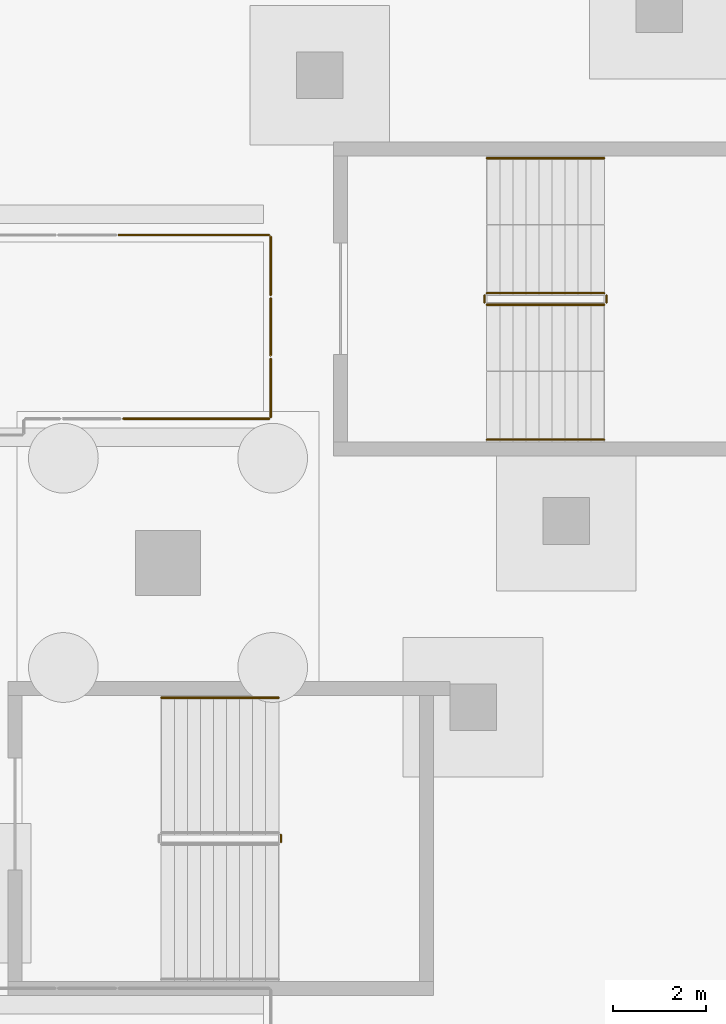
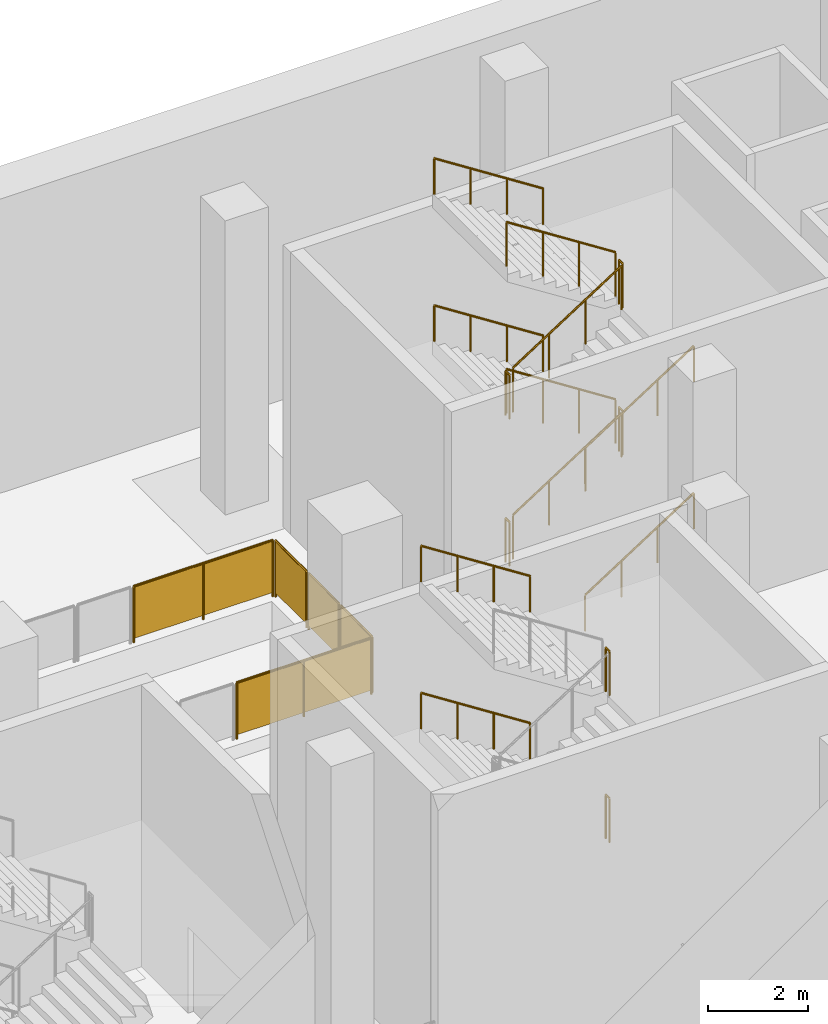
# One storey, part 14 of 15: 21 railings.
"""IFC4 building model written with IfcOpenShell, lengths in metres."""

import ifcopenshell
import ifcopenshell.guid

model = None  # the IFC model being written
_history = None  # IfcOwnerHistory: only IFC2X3 demands one
_inside = {}  # id of a spatial element -> (the spatial element, [elements in it])
_under = {}  # id of a project, library or spatial element -> (it, [spatial elements below it])
_declared = {}  # id of a project -> (the project, [libraries it declares])
_typed = {}  # id of a type object -> (the type object, [elements of that type])
_made_of = {}  # id of a material, layer set ... -> (it, [elements and type objects made of it])


def new_model(schema):
    """Start an empty IFC model of exactly this schema.

    Asked for "IFC4X3", IfcOpenShell would pick the latest addendum, in which some entities
    have other attributes; the version numbers below select the first issue.
    IFC2X3 requires an IfcOwnerHistory on every rooted entity: one is made here for all.
    """
    global model, _history
    if schema == "IFC4X3":
        model = ifcopenshell.file(schema_version=(4, 3, 0, 0))
    else:
        model = ifcopenshell.file(schema=schema)
    _inside.clear()
    _under.clear()
    _declared.clear()
    _typed.clear()
    _made_of.clear()
    _history = None
    if model.schema == "IFC2X3":
        org = make("IfcOrganization", Name="unknown")
        user = make(
            "IfcPersonAndOrganization",
            ThePerson=make("IfcPerson", FamilyName="unknown"),
            TheOrganization=org,
        )
        app = make(
            "IfcApplication",
            ApplicationDeveloper=org,
            Version="unknown",
            ApplicationFullName="unknown",
            ApplicationIdentifier="unknown",
        )
        _history = make(
            "IfcOwnerHistory",
            OwningUser=user,
            OwningApplication=app,
            ChangeAction="ADDED",
            CreationDate=0,
        )
    return model


def make(cls, **values):
    """One entity of the class cls with the attributes given. An attribute that is None is left unset."""
    return model.create_entity(
        cls, **{name: value for name, value in values.items() if value is not None}
    )


def rooted(cls, **values):
    """An entity with a GlobalId (a new one), such as an element, a storey or a relation."""
    return make(cls, GlobalId=ifcopenshell.guid.new(), OwnerHistory=_history, **values)


def si_unit(unit_type, name, prefix=None):
    """IfcSIUnit, for example si_unit("LENGTHUNIT", "METRE", prefix="MILLI")."""
    return make("IfcSIUnit", UnitType=unit_type, Prefix=prefix, Name=name)


def assignment(units):
    """IfcUnitAssignment: the units of a project."""
    return None if units is None else make("IfcUnitAssignment", Units=units)


def point(xyz):
    """IfcCartesianPoint."""
    return None if xyz is None else make("IfcCartesianPoint", Coordinates=xyz)


def direction(xyz):
    """IfcDirection."""
    return None if xyz is None else make("IfcDirection", DirectionRatios=xyz)


def frame(location, z_axis=None, x_axis=None):
    """IfcAxis2Placement3D, a coordinate frame: its origin and axes. An axis left out is left unset."""
    return make(
        "IfcAxis2Placement3D",
        Location=point(location),
        Axis=direction(z_axis),
        RefDirection=direction(x_axis),
    )


def frame_2d(location, x_axis=None):
    """IfcAxis2Placement2D, a coordinate frame in the plane: its origin and x axis."""
    return make(
        "IfcAxis2Placement2D", Location=point(location), RefDirection=direction(x_axis)
    )


def origin():
    """The frame at (0, 0, 0) with its axes left unset."""
    return frame((0.0, 0.0, 0.0))


def origin_2d():
    """The frame at (0, 0) in the plane with its x axis left unset."""
    return frame_2d((0.0, 0.0))


def place(relative_to, where):
    """IfcLocalPlacement: puts the frame where relative to a parent placement (None: the world)."""
    return make(
        "IfcLocalPlacement", PlacementRelTo=relative_to, RelativePlacement=where
    )


def context(
    kind, dimensions, precision=None, world=None, true_north=None, identifier=None
):
    """IfcGeometricRepresentationContext, for example the 3D "Model" context."""
    return make(
        "IfcGeometricRepresentationContext",
        ContextIdentifier=identifier,
        ContextType=kind,
        CoordinateSpaceDimension=dimensions,
        Precision=precision,
        WorldCoordinateSystem=world,
        TrueNorth=true_north,
    )


def subcontext(parent, identifier, kind, view, scale=None):
    """IfcGeometricRepresentationSubContext, for example "Body" below "Model"."""
    return make(
        "IfcGeometricRepresentationSubContext",
        ContextIdentifier=identifier,
        ContextType=kind,
        ParentContext=parent,
        TargetScale=scale,
        TargetView=view,
    )


def project(units=None, contexts=None):
    """IfcProject with its units and contexts."""
    return rooted(
        "IfcProject",
        Name="project",
        RepresentationContexts=contexts,
        UnitsInContext=assignment(units),
    )


def spatial(cls, under=None, at=None, **own):
    """A site, building, storey or space (cls), placed at a placement, below another one or the project."""
    s = rooted(cls, ObjectPlacement=at, **own)
    if under is not None:
        _under.setdefault(under.id(), (under, []))[1].append(s)
    return s


def profile(cls, at=None, kind="AREA", **sizes):
    """A parametric profile (cls). Its sizes go by their IFC names, for example OverallWidth=200.0."""
    return make(cls, ProfileType=kind, Position=at, **sizes)


def rectangle(**sizes):
    """IfcRectangleProfileDef."""
    return profile("IfcRectangleProfileDef", **sizes)


def circle(**sizes):
    """IfcCircleProfileDef."""
    return profile("IfcCircleProfileDef", **sizes)


def extrude(swept, where, along, depth):
    """IfcExtrudedAreaSolid: the profile swept, set in the frame where, extruded along a direction by depth."""
    return make(
        "IfcExtrudedAreaSolid",
        SweptArea=swept,
        Position=where,
        ExtrudedDirection=direction(along),
        Depth=depth,
    )


def shape(context_of_items, identifier, shape_type, items):
    """IfcShapeRepresentation: the items that make up one representation, for example the "Body"."""
    return make(
        "IfcShapeRepresentation",
        ContextOfItems=context_of_items,
        RepresentationIdentifier=identifier,
        RepresentationType=shape_type,
        Items=items,
    )


def material(Name=None, Category=None):
    """IfcMaterial."""
    return make("IfcMaterial", Name=Name, Category=Category)


def made_of(thing, what):
    """Note that an element or type object is made of a material, layer set ...; save() writes the relation."""
    if what is not None:
        _made_of.setdefault(what.id(), (what, []))[1].append(thing)
    return thing


def type_object(cls, material=None, **own):
    """A type object (cls), such as IfcWallType, which elements share."""
    return made_of(rooted(cls, **own), material)


def element(
    cls,
    number,
    at=None,
    inside=None,
    cuts=None,
    type_object=None,
    material=None,
    context=None,
    identifier="Body",
    shape_type=None,
    held_by="IfcProductDefinitionShape",
    body=None,
    shapes=None,
    **own,
):
    """One element of the class cls, such as IfcWall. Its Tag is "e" and its number.

    at: its placement. inside: the storey or other place that contains it. cuts: it is an
    opening in that element (IfcRelVoidsElement). A single representation is given by context,
    identifier, shape_type and body (its items); several are given by shapes. held_by: the class
    of the entity that holds the representations. save() writes the other relations.
    """
    e = rooted(cls, Tag="e%d" % number, ObjectPlacement=at, **own)
    if body is not None:
        shapes = [shape(context, identifier, shape_type, body)]
    if shapes is not None:
        e.Representation = make(held_by, Representations=shapes)
    if inside is not None:
        _inside.setdefault(inside.id(), (inside, []))[1].append(e)
    if cuts is not None:
        rooted(
            "IfcRelVoidsElement", RelatingBuildingElement=cuts, RelatedOpeningElement=e
        )
    if type_object is not None:
        _typed.setdefault(type_object.id(), (type_object, []))[1].append(e)
    return made_of(e, material)


def aggregate(whole, parts):
    """IfcRelAggregates: a whole, such as a stair, and the parts it consists of."""
    return rooted("IfcRelAggregates", RelatingObject=whole, RelatedObjects=parts)


def save(model, path):
    """Write the relations noted so far, then the file.

    IfcRelAggregates (storeys below a building ...), IfcRelContainedInSpatialStructure (elements
    in a storey), IfcRelDefinesByType, IfcRelAssociatesMaterial and IfcRelDeclares: one each for
    every whole, place, type object, material and project.
    """
    for whole, parts in _under.values():
        aggregate(whole, parts)
    for where, things in _inside.values():
        rooted(
            "IfcRelContainedInSpatialStructure",
            RelatedElements=things,
            RelatingStructure=where,
        )
    for kind, things in _typed.values():
        rooted("IfcRelDefinesByType", RelatedObjects=things, RelatingType=kind)
    for what, things in _made_of.values():
        rooted("IfcRelAssociatesMaterial", RelatedObjects=things, RelatingMaterial=what)
    for by, libraries in _declared.values():
        rooted("IfcRelDeclares", RelatingContext=by, RelatedDefinitions=libraries)
    model.write(path)


model = new_model("IFC4")

# Units and contexts
model_context = context("Model", 3, precision=1e-05, world=origin(), true_north=direction((0.0, 1.0)))
body_context = subcontext(model_context, "Body", "Model", "MODEL_VIEW")
ifc_project = project(units=[si_unit("LENGTHUNIT", "METRE"), si_unit("AREAUNIT", "SQUARE_METRE"), si_unit("VOLUMEUNIT", "CUBIC_METRE"), si_unit("PLANEANGLEUNIT", "RADIAN"), si_unit("MASSUNIT", "GRAM", prefix="KILO")], contexts=[model_context])

# Site, building, storey
site_placement = place(None, origin())
site = spatial("IfcSite", under=ifc_project, at=site_placement, CompositionType="ELEMENT")
building_placement = place(site_placement, origin())
building = spatial("IfcBuilding", under=site, at=building_placement, Name="Wharfspan Tower", CompositionType="ELEMENT")
storey_placement = place(building_placement, frame((0.0, 0.0, -14.399902)))
storey = spatial("IfcBuildingStorey", under=building, at=storey_placement, Name="B2", CompositionType="ELEMENT", Elevation=-14.399902)

# Railings
ifc_material_1 = material(Name="Aluminium frame with laminated glass", Category="aluminium")
railing_type_1 = type_object("IfcRailingType", Name="Platform edge screen 1400", PredefinedType="GUARDRAIL", material=ifc_material_1)
railing_1_placement = place(storey_placement, frame((82.610107, -18.800049, 0.0)))
element("IfcRailing", 1, at=railing_1_placement, inside=storey, type_object=railing_type_1, Name="Platform edge screen", PredefinedType="GUARDRAIL", context=body_context, shape_type="SweptSolid", body=[
    extrude(circle(Radius=0.024902, at=origin_2d()), frame((0.0, 0.0, 1.375), z_axis=(-1.0, 0.0, 0.0), x_axis=(0.0, -1.0, 0.0)), (0.0, 0.0, 1.0), 3.120117),
    extrude(circle(Radius=0.024902, at=origin_2d()), origin(), (0.0, 0.0, 1.0), 1.349854),
    extrude(circle(Radius=0.024902, at=origin_2d()), frame((-1.560059, 0.0, 0.0)), (0.0, 0.0, 1.0), 1.349854),
    extrude(circle(Radius=0.024902, at=origin_2d()), frame((-3.120117, 0.0, 0.0)), (0.0, 0.0, 1.0), 1.349854),
    extrude(rectangle(XDim=3.120117, YDim=0.02002, at=origin_2d()), frame((-1.560059, 0.0, 0.100098), z_axis=(0.0, 0.0, 1.0), x_axis=(-1.0, 0.0, 0.0)), (0.0, 0.0, 1.0), 1.249756),
])
railing_2_placement = place(storey_placement, frame((79.389893, -14.850098, 0.0)))
element("IfcRailing", 2, at=railing_2_placement, inside=storey, type_object=railing_type_1, Name="Platform edge screen", PredefinedType="GUARDRAIL", context=body_context, shape_type="SweptSolid", body=[
    extrude(circle(Radius=0.024902, at=origin_2d()), frame((0.0, 0.0, 1.375), z_axis=(1.0, 0.0, 0.0), x_axis=(0.0, 1.0, 0.0)), (0.0, 0.0, 1.0), 3.220215),
    extrude(circle(Radius=0.024902, at=origin_2d()), origin(), (0.0, 0.0, 1.0), 1.349854),
    extrude(circle(Radius=0.024902, at=origin_2d()), frame((1.610107, 0.0, 0.0)), (0.0, 0.0, 1.0), 1.349854),
    extrude(circle(Radius=0.024902, at=origin_2d()), frame((3.220215, 0.0, 0.0)), (0.0, 0.0, 1.0), 1.349854),
    extrude(rectangle(XDim=3.220215, YDim=0.02002, at=origin_2d()), frame((1.610107, 0.0, 0.100098), z_axis=(0.0, 0.0, 1.0), x_axis=(1.0, 0.0, 0.0)), (0.0, 0.0, 1.0), 1.249756),
])
for number, where, name in (
    (3, (82.649902, -14.889893, 0.0), "Platform edge screen"),
    (4, (82.649902, -17.514893, 0.0), "Platform edge screen"),
):
    element("IfcRailing", number, at=place(storey_placement, frame(where)), inside=storey, type_object=railing_type_1, Name=name, PredefinedType="GUARDRAIL", context=body_context, shape_type="SweptSolid", body=[
        extrude(circle(Radius=0.024902, at=origin_2d()), frame((0.0, 0.0, 1.375), z_axis=(0.0, -1.0, 0.0), x_axis=(1.0, 0.0, 0.0)), (0.0, 0.0, 1.0), 1.245117),
        extrude(circle(Radius=0.024902, at=origin_2d()), origin(), (0.0, 0.0, 1.0), 1.349854),
        extrude(circle(Radius=0.024902, at=origin_2d()), frame((0.0, -1.245117, 0.0)), (0.0, 0.0, 1.0), 1.349854),
        extrude(rectangle(XDim=1.245117, YDim=0.02002, at=origin_2d()), frame((0.0, -0.622559, 0.100098), z_axis=(0.0, 0.0, 1.0), x_axis=(0.0, -1.0, 0.0)), (0.0, 0.0, 1.0), 1.249756),
    ])
railing_type_2 = type_object("IfcRailingType", Name="Platform end gate 1400 (closed)", PredefinedType="GUARDRAIL", material=ifc_material_1)
railing_3_placement = place(storey_placement, frame((82.649902, -16.215088, 0.0)))
element("IfcRailing", 5, at=railing_3_placement, inside=storey, type_object=railing_type_2, Name="Platform end gate (closed)", PredefinedType="GUARDRAIL", context=body_context, shape_type="SweptSolid", body=[
    extrude(circle(Radius=0.024902, at=origin_2d()), frame((0.0, 0.0, 1.375), z_axis=(0.0, -1.0, 0.0), x_axis=(1.0, 0.0, 0.0)), (0.0, 0.0, 1.0), 1.219971),
    extrude(circle(Radius=0.024902, at=origin_2d()), origin(), (0.0, 0.0, 1.0), 1.349854),
    extrude(circle(Radius=0.024902, at=origin_2d()), frame((0.0, -1.219971, 0.0)), (0.0, 0.0, 1.0), 1.349854),
    extrude(rectangle(XDim=1.219971, YDim=0.02002, at=origin_2d()), frame((0.0, -0.609863, 0.100098), z_axis=(0.0, 0.0, 1.0), x_axis=(0.0, -1.0, 0.0)), (0.0, 0.0, 1.0), 1.249756),
])
ifc_material_2 = material(Name="Steel S355J2", Category="steel")
railing_type_3 = type_object("IfcRailingType", Name="Podium guard 1100", PredefinedType="GUARDRAIL", material=ifc_material_2)
for number, where, name in (
    (6, (82.870117, -27.899902, 1.799805), "B2 SB5 stair guard 2"),
    (7, (82.870117, -27.899902, 5.399902), "B2 SB5 stair guard 6"),
):
    element("IfcRailing", number, at=place(storey_placement, frame(where)), inside=storey, type_object=railing_type_3, Name=name, PredefinedType="GUARDRAIL", context=body_context, shape_type="SweptSolid", body=[
        extrude(circle(Radius=0.023926, at=origin_2d()), frame((0.0, 0.0, 1.076172), z_axis=(0.0, 1.0, 0.0), x_axis=(-1.0, 0.0, 0.0)), (0.0, 0.0, 1.0), 0.149902),
        extrude(circle(Radius=0.020996, at=origin_2d()), origin(), (0.0, 0.0, 1.0), 1.052002),
        extrude(circle(Radius=0.020996, at=origin_2d()), frame((0.0, 0.149902, 0.0)), (0.0, 0.0, 1.0), 1.052002),
    ])
railing_4_placement = place(storey_placement, frame((87.300049, -16.350098, 0.179932)))
element("IfcRailing", 8, at=railing_4_placement, inside=storey, type_object=railing_type_3, Name="B2 SB7 stair guard 1", PredefinedType="GUARDRAIL", context=body_context, shape_type="SweptSolid", body=[
    extrude(circle(Radius=0.023926, at=origin_2d()), frame((0.0, 0.0, 1.076172), z_axis=(0.8412, 0.0, 0.540725), x_axis=(0.0, 1.0, 0.0)), (0.0, 0.0, 1.0), 2.99585),
    extrude(circle(Radius=0.020996, at=origin_2d()), origin(), (0.0, 0.0, 1.0), 1.052002),
    extrude(circle(Radius=0.020996, at=origin_2d()), frame((0.840088, 0.0, 0.540039)), (0.0, 0.0, 1.0), 1.052002),
    extrude(circle(Radius=0.020996, at=origin_2d()), frame((1.679932, 0.0, 1.079834)), (0.0, 0.0, 1.0), 1.052002),
    extrude(circle(Radius=0.020996, at=origin_2d()), frame((2.52002, 0.0, 1.619873)), (0.0, 0.0, 1.0), 1.052002),
])
railing_5_placement = place(storey_placement, frame((89.870117, -16.300049, 1.799805)))
element("IfcRailing", 9, at=railing_5_placement, inside=storey, type_object=railing_type_3, Name="B2 SB7 stair guard 2", PredefinedType="GUARDRAIL", context=body_context, shape_type="SweptSolid", body=[
    extrude(circle(Radius=0.023926, at=origin_2d()), frame((0.0, 0.0, 1.076172), z_axis=(0.0, 1.0, 0.0), x_axis=(-1.0, 0.0, 0.0)), (0.0, 0.0, 1.0), 0.150146),
    extrude(circle(Radius=0.020996, at=origin_2d()), origin(), (0.0, 0.0, 1.0), 1.052002),
    extrude(circle(Radius=0.020996, at=origin_2d()), frame((0.0, 0.150146, 0.0)), (0.0, 0.0, 1.0), 1.052002),
])
railing_6_placement = place(storey_placement, frame((89.820068, -16.100098, 1.97998)))
element("IfcRailing", 10, at=railing_6_placement, inside=storey, type_object=railing_type_3, Name="B2 SB7 stair guard 3", PredefinedType="GUARDRAIL", context=body_context, shape_type="SweptSolid", body=[
    extrude(circle(Radius=0.023926, at=origin_2d()), frame((0.0, 0.0, 1.076172), z_axis=(-0.8412, 0.0, 0.540725), x_axis=(0.0, -1.0, 0.0)), (0.0, 0.0, 1.0), 2.99585),
    extrude(circle(Radius=0.020996, at=origin_2d()), origin(), (0.0, 0.0, 1.0), 1.052002),
    extrude(circle(Radius=0.020996, at=origin_2d()), frame((-0.840088, 0.0, 0.540039)), (0.0, 0.0, 1.0), 1.052002),
    extrude(circle(Radius=0.020996, at=origin_2d()), frame((-1.679932, 0.0, 1.079834)), (0.0, 0.0, 1.0), 1.052002),
    extrude(circle(Radius=0.020996, at=origin_2d()), frame((-2.52002, 0.0, 1.619873)), (0.0, 0.0, 1.0), 1.052002),
])
railing_7_placement = place(storey_placement, frame((87.25, -16.300049, 3.599854)))
element("IfcRailing", 11, at=railing_7_placement, inside=storey, type_object=railing_type_3, Name="B2 SB7 stair guard 4", PredefinedType="GUARDRAIL", context=body_context, shape_type="SweptSolid", body=[
    extrude(circle(Radius=0.023926, at=origin_2d()), frame((0.0, 0.0, 1.076172), z_axis=(0.0, 1.0, 0.0), x_axis=(-1.0, 0.0, 0.0)), (0.0, 0.0, 1.0), 0.150146),
    extrude(circle(Radius=0.020996, at=origin_2d()), origin(), (0.0, 0.0, 1.0), 1.052002),
    extrude(circle(Radius=0.020996, at=origin_2d()), frame((0.0, 0.150146, 0.0)), (0.0, 0.0, 1.0), 1.052002),
])
railing_8_placement = place(storey_placement, frame((87.300049, -16.350098, 3.779785)))
element("IfcRailing", 12, at=railing_8_placement, inside=storey, type_object=railing_type_3, Name="B2 SB7 stair guard 5", PredefinedType="GUARDRAIL", context=body_context, shape_type="SweptSolid", body=[
    extrude(circle(Radius=0.023926, at=origin_2d()), frame((0.0, 0.0, 1.076172), z_axis=(0.841163, 0.0, 0.540782), x_axis=(0.0, 1.0, 0.0)), (0.0, 0.0, 1.0), 2.99585),
    extrude(circle(Radius=0.020996, at=origin_2d()), origin(), (0.0, 0.0, 1.0), 1.052002),
    extrude(circle(Radius=0.020996, at=origin_2d()), frame((0.840088, 0.0, 0.540039)), (0.0, 0.0, 1.0), 1.052002),
    extrude(circle(Radius=0.020996, at=origin_2d()), frame((1.679932, 0.0, 1.080078)), (0.0, 0.0, 1.0), 1.052002),
    extrude(circle(Radius=0.020996, at=origin_2d()), frame((2.52002, 0.0, 1.620117)), (0.0, 0.0, 1.0), 1.052002),
])
railing_9_placement = place(storey_placement, frame((89.870117, -16.300049, 5.399902)))
element("IfcRailing", 13, at=railing_9_placement, inside=storey, type_object=railing_type_3, Name="B2 SB7 stair guard 6", PredefinedType="GUARDRAIL", context=body_context, shape_type="SweptSolid", body=[
    extrude(circle(Radius=0.023926, at=origin_2d()), frame((0.0, 0.0, 1.076172), z_axis=(0.0, 1.0, 0.0), x_axis=(-1.0, 0.0, 0.0)), (0.0, 0.0, 1.0), 0.150146),
    extrude(circle(Radius=0.020996, at=origin_2d()), origin(), (0.0, 0.0, 1.0), 1.052002),
    extrude(circle(Radius=0.020996, at=origin_2d()), frame((0.0, 0.150146, 0.0)), (0.0, 0.0, 1.0), 1.052002),
])
railing_10_placement = place(storey_placement, frame((89.820068, -16.100098, 5.579834)))
element("IfcRailing", 14, at=railing_10_placement, inside=storey, type_object=railing_type_3, Name="B2 SB7 stair guard 7", PredefinedType="GUARDRAIL", context=body_context, shape_type="SweptSolid", body=[
    extrude(circle(Radius=0.023926, at=origin_2d()), frame((0.0, 0.0, 1.076172), z_axis=(-0.841163, 0.0, 0.540782), x_axis=(0.0, -1.0, 0.0)), (0.0, 0.0, 1.0), 2.99585),
    extrude(circle(Radius=0.020996, at=origin_2d()), origin(), (0.0, 0.0, 1.0), 1.052002),
    extrude(circle(Radius=0.020996, at=origin_2d()), frame((-0.840088, 0.0, 0.540039)), (0.0, 0.0, 1.0), 1.052002),
    extrude(circle(Radius=0.020996, at=origin_2d()), frame((-1.679932, 0.0, 1.080078)), (0.0, 0.0, 1.0), 1.052002),
    extrude(circle(Radius=0.020996, at=origin_2d()), frame((-2.52002, 0.0, 1.620117)), (0.0, 0.0, 1.0), 1.052002),
])
railing_11_placement = place(storey_placement, frame((87.25, -16.300049, 0.0)))
element("IfcRailing", 15, at=railing_11_placement, inside=storey, type_object=railing_type_3, Name="B2 SB7 stair guard 8", PredefinedType="GUARDRAIL", context=body_context, shape_type="SweptSolid", body=[
    extrude(circle(Radius=0.023926, at=origin_2d()), frame((0.0, 0.0, 1.076172), z_axis=(0.0, 1.0, 0.0), x_axis=(-1.0, 0.0, 0.0)), (0.0, 0.0, 1.0), 0.150146),
    extrude(circle(Radius=0.020996, at=origin_2d()), origin(), (0.0, 0.0, 1.0), 1.052002),
    extrude(circle(Radius=0.020996, at=origin_2d()), frame((0.0, 0.150146, 0.0)), (0.0, 0.0, 1.0), 1.052002),
])
railing_type_4 = type_object("IfcRailingType", Name="Podium stair handrail 900", PredefinedType="HANDRAIL", material=ifc_material_2)
railing_12_placement = place(storey_placement, frame((82.820068, -24.800049, 1.97998)))
element("IfcRailing", 16, at=railing_12_placement, inside=storey, type_object=railing_type_4, Name="B2 SB5 stair handrail 2", PredefinedType="HANDRAIL", context=body_context, shape_type="SweptSolid", body=[
    extrude(circle(Radius=0.023926, at=origin_2d()), frame((0.0, 0.0, 0.875977), z_axis=(-0.8412, 0.0, 0.540725), x_axis=(0.0, -1.0, 0.0)), (0.0, 0.0, 1.0), 2.99585),
    extrude(circle(Radius=0.020996, at=origin_2d()), origin(), (0.0, 0.0, 1.0), 0.851807),
    extrude(circle(Radius=0.020996, at=origin_2d()), frame((-0.840088, 0.0, 0.540039)), (0.0, 0.0, 1.0), 0.851807),
    extrude(circle(Radius=0.020996, at=origin_2d()), frame((-1.679932, 0.0, 1.079834)), (0.0, 0.0, 1.0), 0.851807),
    extrude(circle(Radius=0.020996, at=origin_2d()), frame((-2.52002, 0.0, 1.619873)), (0.0, 0.0, 1.0), 0.851807),
])
railing_13_placement = place(storey_placement, frame((82.820068, -24.800049, 5.579834)))
element("IfcRailing", 17, at=railing_13_placement, inside=storey, type_object=railing_type_4, Name="B2 SB5 stair handrail 4", PredefinedType="HANDRAIL", context=body_context, shape_type="SweptSolid", body=[
    extrude(circle(Radius=0.023926, at=origin_2d()), frame((0.0, 0.0, 0.875977), z_axis=(-0.841163, 0.0, 0.540782), x_axis=(0.0, -1.0, 0.0)), (0.0, 0.0, 1.0), 2.99585),
    extrude(circle(Radius=0.020996, at=origin_2d()), origin(), (0.0, 0.0, 1.0), 0.851807),
    extrude(circle(Radius=0.020996, at=origin_2d()), frame((-0.840088, 0.0, 0.540039)), (0.0, 0.0, 1.0), 0.851807),
    extrude(circle(Radius=0.020996, at=origin_2d()), frame((-1.679932, 0.0, 1.080078)), (0.0, 0.0, 1.0), 0.851807),
    extrude(circle(Radius=0.020996, at=origin_2d()), frame((-2.52002, 0.0, 1.620117)), (0.0, 0.0, 1.0), 0.851807),
])
railing_14_placement = place(storey_placement, frame((87.300049, -19.25, 0.179932)))
element("IfcRailing", 18, at=railing_14_placement, inside=storey, type_object=railing_type_4, Name="B2 SB7 stair handrail 1", PredefinedType="HANDRAIL", context=body_context, shape_type="SweptSolid", body=[
    extrude(circle(Radius=0.023926, at=origin_2d()), frame((0.0, 0.0, 0.875977), z_axis=(0.8412, 0.0, 0.540725), x_axis=(0.0, 1.0, 0.0)), (0.0, 0.0, 1.0), 2.99585),
    extrude(circle(Radius=0.020996, at=origin_2d()), origin(), (0.0, 0.0, 1.0), 0.851807),
    extrude(circle(Radius=0.020996, at=origin_2d()), frame((0.840088, 0.0, 0.540039)), (0.0, 0.0, 1.0), 0.851807),
    extrude(circle(Radius=0.020996, at=origin_2d()), frame((1.679932, 0.0, 1.079834)), (0.0, 0.0, 1.0), 0.851807),
    extrude(circle(Radius=0.020996, at=origin_2d()), frame((2.52002, 0.0, 1.619873)), (0.0, 0.0, 1.0), 0.851807),
])
railing_15_placement = place(storey_placement, frame((89.820068, -13.199951, 1.97998)))
element("IfcRailing", 19, at=railing_15_placement, inside=storey, type_object=railing_type_4, Name="B2 SB7 stair handrail 2", PredefinedType="HANDRAIL", context=body_context, shape_type="SweptSolid", body=[
    extrude(circle(Radius=0.023926, at=origin_2d()), frame((0.0, 0.0, 0.875977), z_axis=(-0.8412, 0.0, 0.540725), x_axis=(0.0, -1.0, 0.0)), (0.0, 0.0, 1.0), 2.99585),
    extrude(circle(Radius=0.020996, at=origin_2d()), origin(), (0.0, 0.0, 1.0), 0.851807),
    extrude(circle(Radius=0.020996, at=origin_2d()), frame((-0.840088, 0.0, 0.540039)), (0.0, 0.0, 1.0), 0.851807),
    extrude(circle(Radius=0.020996, at=origin_2d()), frame((-1.679932, 0.0, 1.079834)), (0.0, 0.0, 1.0), 0.851807),
    extrude(circle(Radius=0.020996, at=origin_2d()), frame((-2.52002, 0.0, 1.619873)), (0.0, 0.0, 1.0), 0.851807),
])
railing_16_placement = place(storey_placement, frame((87.300049, -19.25, 3.779785)))
element("IfcRailing", 20, at=railing_16_placement, inside=storey, type_object=railing_type_4, Name="B2 SB7 stair handrail 3", PredefinedType="HANDRAIL", context=body_context, shape_type="SweptSolid", body=[
    extrude(circle(Radius=0.023926, at=origin_2d()), frame((0.0, 0.0, 0.875977), z_axis=(0.841163, 0.0, 0.540782), x_axis=(0.0, 1.0, 0.0)), (0.0, 0.0, 1.0), 2.99585),
    extrude(circle(Radius=0.020996, at=origin_2d()), origin(), (0.0, 0.0, 1.0), 0.851807),
    extrude(circle(Radius=0.020996, at=origin_2d()), frame((0.840088, 0.0, 0.540039)), (0.0, 0.0, 1.0), 0.851807),
    extrude(circle(Radius=0.020996, at=origin_2d()), frame((1.679932, 0.0, 1.080078)), (0.0, 0.0, 1.0), 0.851807),
    extrude(circle(Radius=0.020996, at=origin_2d()), frame((2.52002, 0.0, 1.620117)), (0.0, 0.0, 1.0), 0.851807),
])
railing_17_placement = place(storey_placement, frame((89.820068, -13.199951, 5.579834)))
element("IfcRailing", 21, at=railing_17_placement, inside=storey, type_object=railing_type_4, Name="B2 SB7 stair handrail 4", PredefinedType="HANDRAIL", context=body_context, shape_type="SweptSolid", body=[
    extrude(circle(Radius=0.023926, at=origin_2d()), frame((0.0, 0.0, 0.875977), z_axis=(-0.841163, 0.0, 0.540782), x_axis=(0.0, -1.0, 0.0)), (0.0, 0.0, 1.0), 2.99585),
    extrude(circle(Radius=0.020996, at=origin_2d()), origin(), (0.0, 0.0, 1.0), 0.851807),
    extrude(circle(Radius=0.020996, at=origin_2d()), frame((-0.840088, 0.0, 0.540039)), (0.0, 0.0, 1.0), 0.851807),
    extrude(circle(Radius=0.020996, at=origin_2d()), frame((-1.679932, 0.0, 1.080078)), (0.0, 0.0, 1.0), 0.851807),
    extrude(circle(Radius=0.020996, at=origin_2d()), frame((-2.52002, 0.0, 1.620117)), (0.0, 0.0, 1.0), 0.851807),
])

save(model, "model.ifc")
